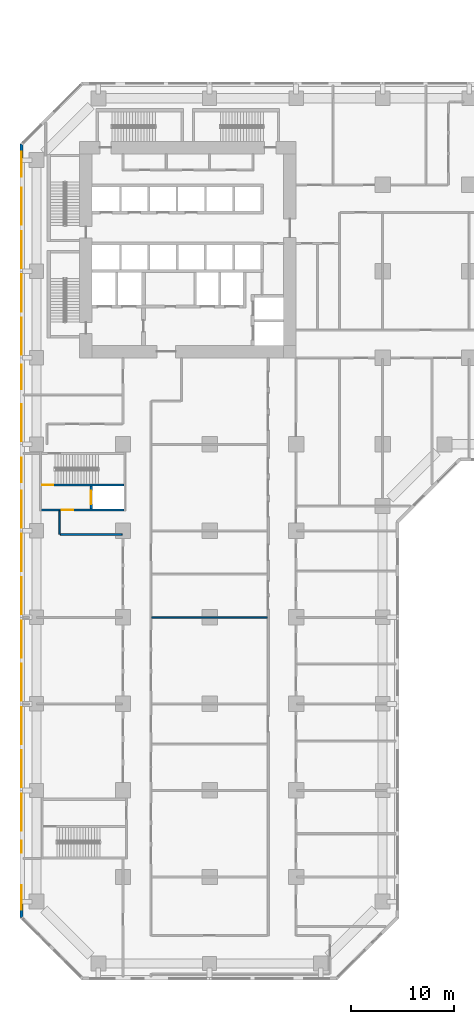
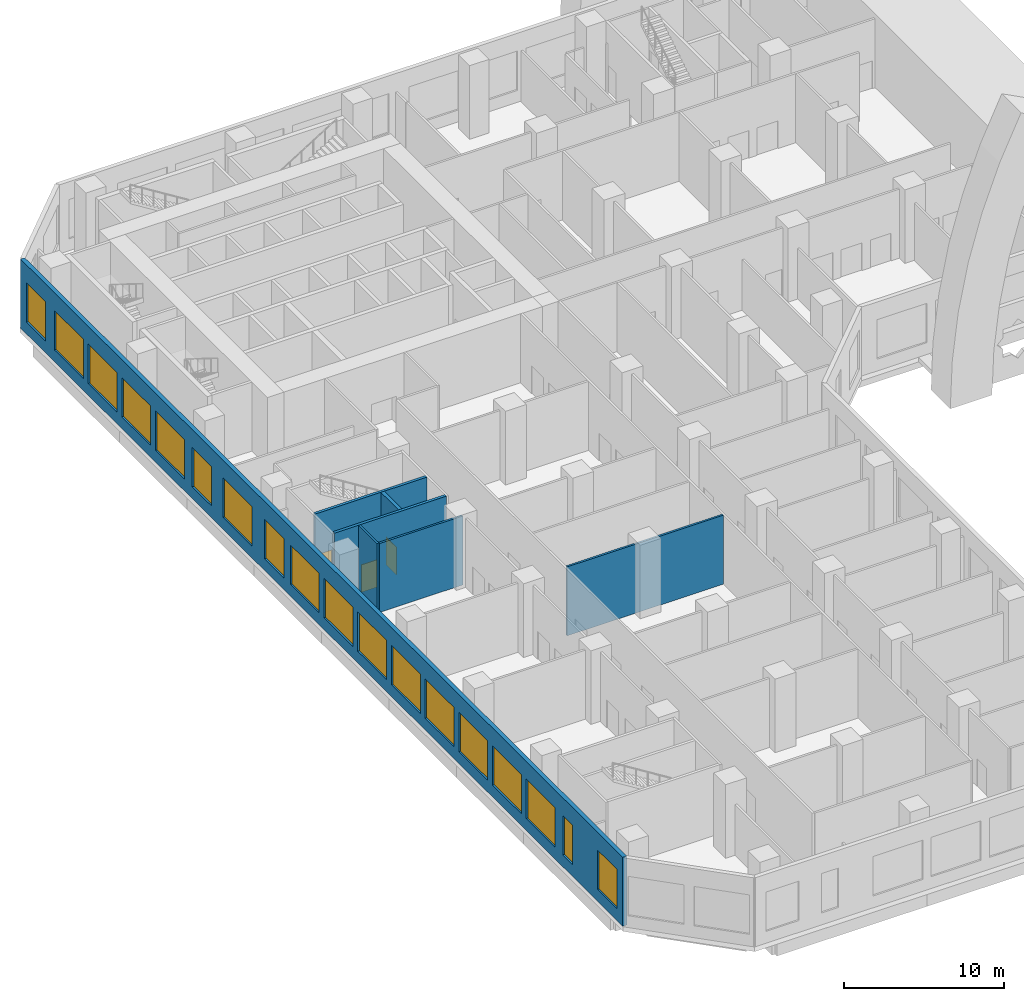
# One storey, part 5 of 19: 18 windows, 7 walls, 3 doors, 21 openings.
"""IFC4 building model written with IfcOpenShell, lengths in metres."""

from ifc_helpers import new_model, si_unit, direction, frame, frame_2d, origin, place, context, subcontext, project, spatial, rectangle, extrude, material, layer, layer_set, type_object, element, fill, save


model = new_model("IFC4")

# Units and contexts
model_context = context("Model", 3, precision=1e-05, world=origin(), true_north=direction((0.0, 1.0)))
body_context = subcontext(model_context, "Body", "Model", "MODEL_VIEW")
ifc_project = project(units=[si_unit("LENGTHUNIT", "METRE"), si_unit("AREAUNIT", "SQUARE_METRE"), si_unit("VOLUMEUNIT", "CUBIC_METRE"), si_unit("PLANEANGLEUNIT", "RADIAN"), si_unit("MASSUNIT", "GRAM", prefix="KILO")], contexts=[model_context])

# Site, building, storey
site_placement = place(None, origin())
site = spatial("IfcSite", under=ifc_project, at=site_placement, CompositionType="ELEMENT")
building_placement = place(site_placement, origin())
building = spatial("IfcBuilding", under=site, at=building_placement, Name="Kawkab Arch Medical Tower", CompositionType="ELEMENT")
storey_placement = place(building_placement, frame((0.0, 0.0, 12.60009765625)))
storey = spatial("IfcBuildingStorey", under=building, at=storey_placement, Name="L03", CompositionType="ELEMENT", Elevation=12.60009765625)

# Wall, opening, door
ifc_material_1 = material(Name="Concrete C60/75", Category="concrete")
ifc_layer_1 = layer(ifc_material_1, 0.25)
ifc_layer_set_1 = layer_set([ifc_layer_1], Name="Concrete C60/75")
wall_type_1 = type_object("IfcWallType", Name="Core shear wall 250 C60/75", PredefinedType="SHEAR", material=ifc_layer_set_1)
wall_1_placement = place(storey_placement, frame((5.300048828125, -39.85009765625, 0.0), z_axis=(0.0, 0.0, 1.0), x_axis=(0.0, 1.0, 0.0)))
wall_1 = element("IfcWall", 1, at=wall_1_placement, inside=storey, type_object=wall_type_1, Name="L03 core shear wall", PredefinedType="SHEAR", context=body_context, shape_type="SweptSolid", body=[
    extrude(rectangle(XDim=2.2001953125, YDim=0.25, at=frame_2d((1.10009765625, 0.0))), origin(), (0.0, 0.0, 1.0), 5.25),
])
opening_1_placement = place(wall_1_placement, frame((0.449951171875, 0.0, 0.0)))
opening_1 = element("IfcOpeningElement", 2, at=opening_1_placement, cuts=wall_1, Name="Opening LD2", PredefinedType="OPENING", context=body_context, shape_type="SweptSolid", body=[
    extrude(rectangle(XDim=1.300048828125, YDim=2.10009765625, at=frame_2d((0.64990234375, 1.050048828125))), frame((0.0, 0.135009765625, 0.0), z_axis=(0.0, -1.0, 0.0), x_axis=(1.0, 0.0, 0.0)), (0.0, 0.0, 1.0), 0.27001953125),
])
ifc_material_2 = material(Name="Stainless steel lift door leaf", Category="steel")
door_type_1 = type_object("IfcDoorType", Name="Lift landing door 1300", OperationType="DOUBLE_DOOR_SLIDING", PredefinedType="DOOR", material=ifc_material_2)
door_1_placement = place(opening_1_placement, origin())
door_1 = element("IfcDoor", 3, at=door_1_placement, inside=storey, type_object=door_type_1, Name="L03 Lift landing door SV2", OperationType="DOUBLE_DOOR_SLIDING", OverallHeight=2.10009765625, OverallWidth=1.300048828125, PredefinedType="DOOR", context=body_context, shape_type="SweptSolid", body=[
    extrude(rectangle(XDim=1.300048828125, YDim=2.10009765625, at=frame_2d((0.64990234375, 1.050048828125))), frame((0.0, 0.02490234375, 0.0), z_axis=(0.0, -1.0, 0.0), x_axis=(1.0, 0.0, 0.0)), (0.0, 0.0, 1.0), 0.050048828125),
])
fill(opening_1, door_1)

# Walls
ifc_material_3 = material(Name="Gypsum board partition on steel studs, mineral wool", Category="steel")
ifc_layer_2 = layer(ifc_material_3, 0.14990234375)
ifc_layer_set_2 = layer_set([ifc_layer_2], Name="Gypsum board partition on steel studs, mineral wool")
wall_type_2 = type_object("IfcWallType", Name="Partition 150", PredefinedType="PARTITIONING", material=ifc_layer_set_2)
wall_2_placement = place(storey_placement, frame((11.175048828125, -50.39990234375, 0.0), z_axis=(0.0, 0.0, 1.0), x_axis=(1.0, 0.0, 0.0)))
element("IfcWall", 4, at=wall_2_placement, inside=storey, type_object=wall_type_2, Name="Partition 150 w020", PredefinedType="PARTITIONING", context=body_context, shape_type="SweptSolid", body=[
    extrude(rectangle(XDim=11.25, YDim=0.14990234375, at=frame_2d((5.625, 0.0))), origin(), (0.0, 0.0, 1.0), 5.25),
])
wall_3_placement = place(storey_placement, frame((2.326904296875, -42.35009765625, 0.0), z_axis=(0.0, 0.0, 1.0), x_axis=(1.0, 0.0, 0.0)))
element("IfcWall", 5, at=wall_3_placement, inside=storey, type_object=wall_type_2, Name="Partition 150 w024", PredefinedType="PARTITIONING", context=body_context, shape_type="SweptSolid", body=[
    extrude(rectangle(XDim=5.998046875, YDim=0.14990234375, at=frame_2d((2.9990234375, 0.0))), origin(), (0.0, 0.0, 1.0), 5.25),
])
wall_4_placement = place(storey_placement, frame((2.25, -42.347900390625, 0.0), z_axis=(0.0, 0.0, 1.0), x_axis=(0.0, 1.0, 0.0)))
element("IfcWall", 6, at=wall_4_placement, inside=storey, type_object=wall_type_2, Name="Partition 150 w048", PredefinedType="PARTITIONING", context=body_context, shape_type="SweptSolid", body=[
    extrude(rectangle(XDim=2.2978515625, YDim=0.14990234375, at=frame_2d((1.14892578125, 0.0))), origin(), (0.0, 0.0, 1.0), 5.25),
])

# Wall, openings, windows
ifc_material_4 = material(Name="Bronze clad insulated wall panel")
ifc_layer_3 = layer(ifc_material_4, 0.300048828125)
ifc_layer_set_3 = layer_set([ifc_layer_3], Name="Bronze clad insulated wall panel")
wall_type_3 = type_object("IfcWallType", Name="Podium external wall 300", PredefinedType="SOLIDWALL", material=ifc_layer_set_3)
wall_5_placement = place(storey_placement, frame((-1.449951171875, -4.462158203125, 0.0), z_axis=(0.0, 0.0, 1.0), x_axis=(0.0, -1.0, 0.0)))
wall_5 = element("IfcWall", 7, at=wall_5_placement, inside=storey, type_object=wall_type_3, Name="Podium external wall L03 R07", PredefinedType="SOLIDWALL", context=body_context, shape_type="SweptSolid", body=[
    extrude(rectangle(XDim=75.07568359375, YDim=0.300048828125, at=frame_2d((37.537841796875, 0.0))), origin(), (0.0, 0.0, 1.0), 5.25),
])
opening_2_placement = place(wall_5_placement, frame((0.73779296875, 0.0, 0.89990234375)))
opening_2 = element("IfcOpeningElement", 8, at=opening_2_placement, cuts=wall_5, Name="Opening PBW240-30-S9", PredefinedType="OPENING", context=body_context, shape_type="SweptSolid", body=[
    extrude(rectangle(XDim=2.39990234375, YDim=3.0, at=frame_2d((1.199951171875, 1.5))), frame((0.0, 0.159912109375, 0.0), z_axis=(0.0, -1.0, 0.0), x_axis=(1.0, 0.0, 0.0)), (0.0, 0.0, 1.0), 0.320068359375),
])
opening_3_placement = place(wall_5_placement, frame((4.23779296875, 0.0, 0.89990234375)))
opening_3 = element("IfcOpeningElement", 9, at=opening_3_placement, cuts=wall_5, Name="Opening PBW360-30-S9", PredefinedType="OPENING", context=body_context, shape_type="SweptSolid", body=[
    extrude(rectangle(XDim=3.60009765625, YDim=3.0, at=frame_2d((1.800048828125, 1.5))), frame((0.0, 0.159912109375, 0.0), z_axis=(0.0, -1.0, 0.0), x_axis=(1.0, 0.0, 0.0)), (0.0, 0.0, 1.0), 0.320068359375),
])
opening_4_placement = place(wall_5_placement, frame((8.43798828125, 0.0, 0.89990234375)))
opening_4 = element("IfcOpeningElement", 10, at=opening_4_placement, cuts=wall_5, Name="Opening PBW360-30-S9", PredefinedType="OPENING", context=body_context, shape_type="SweptSolid", body=[
    extrude(rectangle(XDim=3.60009765625, YDim=3.0, at=frame_2d((1.800048828125, 1.5))), frame((0.0, 0.159912109375, 0.0), z_axis=(0.0, -1.0, 0.0), x_axis=(1.0, 0.0, 0.0)), (0.0, 0.0, 1.0), 0.320068359375),
])
opening_5_placement = place(wall_5_placement, frame((12.637939453125, 0.0, 0.89990234375)))
opening_5 = element("IfcOpeningElement", 11, at=opening_5_placement, cuts=wall_5, Name="Opening PBW360-30-S9", PredefinedType="OPENING", context=body_context, shape_type="SweptSolid", body=[
    extrude(rectangle(XDim=3.60009765625, YDim=3.0, at=frame_2d((1.800048828125, 1.5))), frame((0.0, 0.159912109375, 0.0), z_axis=(0.0, -1.0, 0.0), x_axis=(1.0, 0.0, 0.0)), (0.0, 0.0, 1.0), 0.320068359375),
])
opening_6_placement = place(wall_5_placement, frame((16.837890625, 0.0, 0.89990234375)))
opening_6 = element("IfcOpeningElement", 12, at=opening_6_placement, cuts=wall_5, Name="Opening PBW360-30-S9", PredefinedType="OPENING", context=body_context, shape_type="SweptSolid", body=[
    extrude(rectangle(XDim=3.60009765625, YDim=3.0, at=frame_2d((1.800048828125, 1.5))), frame((0.0, 0.159912109375, 0.0), z_axis=(0.0, -1.0, 0.0), x_axis=(1.0, 0.0, 0.0)), (0.0, 0.0, 1.0), 0.320068359375),
])
opening_7_placement = place(wall_5_placement, frame((21.40283203125, 0.0, 0.89990234375)))
opening_7 = element("IfcOpeningElement", 13, at=opening_7_placement, cuts=wall_5, Name="Opening PBW240-30-S9", PredefinedType="OPENING", context=body_context, shape_type="SweptSolid", body=[
    extrude(rectangle(XDim=2.39990234375, YDim=3.0, at=frame_2d((1.199951171875, 1.5))), frame((0.0, 0.159912109375, 0.0), z_axis=(0.0, -1.0, 0.0), x_axis=(1.0, 0.0, 0.0)), (0.0, 0.0, 1.0), 0.320068359375),
])
opening_8_placement = place(wall_5_placement, frame((25.23779296875, 0.0, 0.89990234375)))
opening_8 = element("IfcOpeningElement", 14, at=opening_8_placement, cuts=wall_5, Name="Opening PBW360-30-S9", PredefinedType="OPENING", context=body_context, shape_type="SweptSolid", body=[
    extrude(rectangle(XDim=3.60009765625, YDim=3.0, at=frame_2d((1.800048828125, 1.5))), frame((0.0, 0.159912109375, 0.0), z_axis=(0.0, -1.0, 0.0), x_axis=(1.0, 0.0, 0.0)), (0.0, 0.0, 1.0), 0.320068359375),
])
opening_9_placement = place(wall_5_placement, frame((30.4228515625, 0.0, 0.89990234375)))
opening_9 = element("IfcOpeningElement", 15, at=opening_9_placement, cuts=wall_5, Name="Opening PBW240-30-S9", PredefinedType="OPENING", context=body_context, shape_type="SweptSolid", body=[
    extrude(rectangle(XDim=2.39990234375, YDim=3.0, at=frame_2d((1.199951171875, 1.5))), frame((0.0, 0.159912109375, 0.0), z_axis=(0.0, -1.0, 0.0), x_axis=(1.0, 0.0, 0.0)), (0.0, 0.0, 1.0), 0.320068359375),
])
opening_10_placement = place(wall_5_placement, frame((33.637939453125, 0.0, 0.89990234375)))
opening_10 = element("IfcOpeningElement", 16, at=opening_10_placement, cuts=wall_5, Name="Opening PBW360-30-S9", PredefinedType="OPENING", context=body_context, shape_type="SweptSolid", body=[
    extrude(rectangle(XDim=3.60009765625, YDim=3.0, at=frame_2d((1.800048828125, 1.5))), frame((0.0, 0.159912109375, 0.0), z_axis=(0.0, -1.0, 0.0), x_axis=(1.0, 0.0, 0.0)), (0.0, 0.0, 1.0), 0.320068359375),
])
opening_11_placement = place(wall_5_placement, frame((37.837890625, 0.0, 0.89990234375)))
opening_11 = element("IfcOpeningElement", 17, at=opening_11_placement, cuts=wall_5, Name="Opening PBW360-30-S9", PredefinedType="OPENING", context=body_context, shape_type="SweptSolid", body=[
    extrude(rectangle(XDim=3.60009765625, YDim=3.0, at=frame_2d((1.800048828125, 1.5))), frame((0.0, 0.159912109375, 0.0), z_axis=(0.0, -1.0, 0.0), x_axis=(1.0, 0.0, 0.0)), (0.0, 0.0, 1.0), 0.320068359375),
])
opening_12_placement = place(wall_5_placement, frame((42.037841796875, 0.0, 0.89990234375)))
opening_12 = element("IfcOpeningElement", 18, at=opening_12_placement, cuts=wall_5, Name="Opening PBW360-30-S9", PredefinedType="OPENING", context=body_context, shape_type="SweptSolid", body=[
    extrude(rectangle(XDim=3.60009765625, YDim=3.0, at=frame_2d((1.800048828125, 1.5))), frame((0.0, 0.159912109375, 0.0), z_axis=(0.0, -1.0, 0.0), x_axis=(1.0, 0.0, 0.0)), (0.0, 0.0, 1.0), 0.320068359375),
])
opening_13_placement = place(wall_5_placement, frame((46.23779296875, 0.0, 0.89990234375)))
opening_13 = element("IfcOpeningElement", 19, at=opening_13_placement, cuts=wall_5, Name="Opening PBW360-30-S9", PredefinedType="OPENING", context=body_context, shape_type="SweptSolid", body=[
    extrude(rectangle(XDim=3.60009765625, YDim=3.0, at=frame_2d((1.800048828125, 1.5))), frame((0.0, 0.159912109375, 0.0), z_axis=(0.0, -1.0, 0.0), x_axis=(1.0, 0.0, 0.0)), (0.0, 0.0, 1.0), 0.320068359375),
])
opening_14_placement = place(wall_5_placement, frame((50.43798828125, 0.0, 0.89990234375)))
opening_14 = element("IfcOpeningElement", 20, at=opening_14_placement, cuts=wall_5, Name="Opening PBW360-30-S9", PredefinedType="OPENING", context=body_context, shape_type="SweptSolid", body=[
    extrude(rectangle(XDim=3.60009765625, YDim=3.0, at=frame_2d((1.800048828125, 1.5))), frame((0.0, 0.159912109375, 0.0), z_axis=(0.0, -1.0, 0.0), x_axis=(1.0, 0.0, 0.0)), (0.0, 0.0, 1.0), 0.320068359375),
])
opening_15_placement = place(wall_5_placement, frame((54.637939453125, 0.0, 0.89990234375)))
opening_15 = element("IfcOpeningElement", 21, at=opening_15_placement, cuts=wall_5, Name="Opening PBW360-30-S9", PredefinedType="OPENING", context=body_context, shape_type="SweptSolid", body=[
    extrude(rectangle(XDim=3.60009765625, YDim=3.0, at=frame_2d((1.800048828125, 1.5))), frame((0.0, 0.159912109375, 0.0), z_axis=(0.0, -1.0, 0.0), x_axis=(1.0, 0.0, 0.0)), (0.0, 0.0, 1.0), 0.320068359375),
])
opening_16_placement = place(wall_5_placement, frame((58.837890625, 0.0, 0.89990234375)))
opening_16 = element("IfcOpeningElement", 22, at=opening_16_placement, cuts=wall_5, Name="Opening PBW360-30-S9", PredefinedType="OPENING", context=body_context, shape_type="SweptSolid", body=[
    extrude(rectangle(XDim=3.60009765625, YDim=3.0, at=frame_2d((1.800048828125, 1.5))), frame((0.0, 0.159912109375, 0.0), z_axis=(0.0, -1.0, 0.0), x_axis=(1.0, 0.0, 0.0)), (0.0, 0.0, 1.0), 0.320068359375),
])
opening_17_placement = place(wall_5_placement, frame((63.037841796875, 0.0, 0.89990234375)))
opening_17 = element("IfcOpeningElement", 23, at=opening_17_placement, cuts=wall_5, Name="Opening PBW360-30-S9", PredefinedType="OPENING", context=body_context, shape_type="SweptSolid", body=[
    extrude(rectangle(XDim=3.60009765625, YDim=3.0, at=frame_2d((1.800048828125, 1.5))), frame((0.0, 0.159912109375, 0.0), z_axis=(0.0, -1.0, 0.0), x_axis=(1.0, 0.0, 0.0)), (0.0, 0.0, 1.0), 0.320068359375),
])
opening_18_placement = place(wall_5_placement, frame((67.602783203125, 0.0, 0.89990234375)))
opening_18 = element("IfcOpeningElement", 24, at=opening_18_placement, cuts=wall_5, Name="Opening PBW120-30-S9", PredefinedType="OPENING", context=body_context, shape_type="SweptSolid", body=[
    extrude(rectangle(XDim=1.199951171875, YDim=3.0, at=frame_2d((0.60009765625, 1.5))), frame((0.0, 0.159912109375, 0.0), z_axis=(0.0, -1.0, 0.0), x_axis=(1.0, 0.0, 0.0)), (0.0, 0.0, 1.0), 0.320068359375),
])
opening_19_placement = place(wall_5_placement, frame((71.93798828125, 0.0, 0.89990234375)))
opening_19 = element("IfcOpeningElement", 25, at=opening_19_placement, cuts=wall_5, Name="Opening PBW240-30-S9", PredefinedType="OPENING", context=body_context, shape_type="SweptSolid", body=[
    extrude(rectangle(XDim=2.39990234375, YDim=3.0, at=frame_2d((1.199951171875, 1.5))), frame((0.0, 0.159912109375, 0.0), z_axis=(0.0, -1.0, 0.0), x_axis=(1.0, 0.0, 0.0)), (0.0, 0.0, 1.0), 0.320068359375),
])
ifc_material_5 = material(Name="Bronze anodised aluminium louvred window", Category="aluminium")
window_type_1 = type_object("IfcWindowType", Name="Podium band window 1200 x 3000 sill 900", PartitioningType="DOUBLE_PANEL_VERTICAL", PredefinedType="WINDOW", material=ifc_material_5)
window_1_placement = place(opening_18_placement, origin())
window_1 = element("IfcWindow", 26, at=window_1_placement, inside=storey, type_object=window_type_1, Name="Band window L03 R07.17", OverallHeight=3.0, OverallWidth=1.199951171875, PartitioningType="SINGLE_PANEL", PredefinedType="WINDOW", context=body_context, shape_type="SweptSolid", body=[
    extrude(rectangle(XDim=1.199951171875, YDim=3.0, at=frame_2d((0.60009765625, 1.5))), frame((0.0, 0.030029296875, 0.0), z_axis=(0.0, -1.0, 0.0), x_axis=(1.0, 0.0, 0.0)), (0.0, 0.0, 1.0), 0.06005859375),
])
fill(opening_18, window_1)
ifc_material_6 = material(Name="Bronze anodised aluminium louvred window", Category="aluminium")
window_type_2 = type_object("IfcWindowType", Name="Podium band window 2400 x 3000 sill 900", PartitioningType="DOUBLE_PANEL_VERTICAL", PredefinedType="WINDOW", material=ifc_material_6)
window_2_placement = place(opening_2_placement, origin())
window_2 = element("IfcWindow", 27, at=window_2_placement, inside=storey, type_object=window_type_2, Name="Band window L03 R07.1", OverallHeight=3.0, OverallWidth=2.39990234375, PartitioningType="SINGLE_PANEL", PredefinedType="WINDOW", context=body_context, shape_type="SweptSolid", body=[
    extrude(rectangle(XDim=2.39990234375, YDim=3.0, at=frame_2d((1.199951171875, 1.5))), frame((0.0, 0.030029296875, 0.0), z_axis=(0.0, -1.0, 0.0), x_axis=(1.0, 0.0, 0.0)), (0.0, 0.0, 1.0), 0.06005859375),
])
fill(opening_2, window_2)
window_3_placement = place(opening_7_placement, origin())
window_3 = element("IfcWindow", 28, at=window_3_placement, inside=storey, type_object=window_type_2, Name="Band window L03 R07.6", OverallHeight=3.0, OverallWidth=2.39990234375, PartitioningType="SINGLE_PANEL", PredefinedType="WINDOW", context=body_context, shape_type="SweptSolid", body=[
    extrude(rectangle(XDim=2.39990234375, YDim=3.0, at=frame_2d((1.199951171875, 1.5))), frame((0.0, 0.030029296875, 0.0), z_axis=(0.0, -1.0, 0.0), x_axis=(1.0, 0.0, 0.0)), (0.0, 0.0, 1.0), 0.06005859375),
])
fill(opening_7, window_3)
window_4_placement = place(opening_9_placement, origin())
window_4 = element("IfcWindow", 29, at=window_4_placement, inside=storey, type_object=window_type_2, Name="Band window L03 R07.8", OverallHeight=3.0, OverallWidth=2.39990234375, PartitioningType="SINGLE_PANEL", PredefinedType="WINDOW", context=body_context, shape_type="SweptSolid", body=[
    extrude(rectangle(XDim=2.39990234375, YDim=3.0, at=frame_2d((1.199951171875, 1.5))), frame((0.0, 0.030029296875, 0.0), z_axis=(0.0, -1.0, 0.0), x_axis=(1.0, 0.0, 0.0)), (0.0, 0.0, 1.0), 0.06005859375),
])
fill(opening_9, window_4)
window_5_placement = place(opening_19_placement, origin())
window_5 = element("IfcWindow", 30, at=window_5_placement, inside=storey, type_object=window_type_2, Name="Band window L03 R07.18", OverallHeight=3.0, OverallWidth=2.39990234375, PartitioningType="SINGLE_PANEL", PredefinedType="WINDOW", context=body_context, shape_type="SweptSolid", body=[
    extrude(rectangle(XDim=2.39990234375, YDim=3.0, at=frame_2d((1.199951171875, 1.5))), frame((0.0, 0.030029296875, 0.0), z_axis=(0.0, -1.0, 0.0), x_axis=(1.0, 0.0, 0.0)), (0.0, 0.0, 1.0), 0.06005859375),
])
fill(opening_19, window_5)
ifc_material_7 = material(Name="Bronze anodised aluminium louvred window", Category="aluminium")
window_type_3 = type_object("IfcWindowType", Name="Podium band window 3600 x 3000 sill 900", PartitioningType="DOUBLE_PANEL_VERTICAL", PredefinedType="WINDOW", material=ifc_material_7)
window_6_placement = place(opening_3_placement, origin())
window_6 = element("IfcWindow", 31, at=window_6_placement, inside=storey, type_object=window_type_3, Name="Band window L03 R07.2", OverallHeight=3.0, OverallWidth=3.60009765625, PartitioningType="SINGLE_PANEL", PredefinedType="WINDOW", context=body_context, shape_type="SweptSolid", body=[
    extrude(rectangle(XDim=3.60009765625, YDim=3.0, at=frame_2d((1.800048828125, 1.5))), frame((0.0, 0.030029296875, 0.0), z_axis=(0.0, -1.0, 0.0), x_axis=(1.0, 0.0, 0.0)), (0.0, 0.0, 1.0), 0.06005859375),
])
fill(opening_3, window_6)
window_7_placement = place(opening_4_placement, origin())
window_7 = element("IfcWindow", 32, at=window_7_placement, inside=storey, type_object=window_type_3, Name="Band window L03 R07.3", OverallHeight=3.0, OverallWidth=3.60009765625, PartitioningType="SINGLE_PANEL", PredefinedType="WINDOW", context=body_context, shape_type="SweptSolid", body=[
    extrude(rectangle(XDim=3.60009765625, YDim=3.0, at=frame_2d((1.800048828125, 1.5))), frame((0.0, 0.030029296875, 0.0), z_axis=(0.0, -1.0, 0.0), x_axis=(1.0, 0.0, 0.0)), (0.0, 0.0, 1.0), 0.06005859375),
])
fill(opening_4, window_7)
window_8_placement = place(opening_5_placement, origin())
window_8 = element("IfcWindow", 33, at=window_8_placement, inside=storey, type_object=window_type_3, Name="Band window L03 R07.4", OverallHeight=3.0, OverallWidth=3.60009765625, PartitioningType="SINGLE_PANEL", PredefinedType="WINDOW", context=body_context, shape_type="SweptSolid", body=[
    extrude(rectangle(XDim=3.60009765625, YDim=3.0, at=frame_2d((1.800048828125, 1.5))), frame((0.0, 0.030029296875, 0.0), z_axis=(0.0, -1.0, 0.0), x_axis=(1.0, 0.0, 0.0)), (0.0, 0.0, 1.0), 0.06005859375),
])
fill(opening_5, window_8)
window_9_placement = place(opening_6_placement, origin())
window_9 = element("IfcWindow", 34, at=window_9_placement, inside=storey, type_object=window_type_3, Name="Band window L03 R07.5", OverallHeight=3.0, OverallWidth=3.60009765625, PartitioningType="SINGLE_PANEL", PredefinedType="WINDOW", context=body_context, shape_type="SweptSolid", body=[
    extrude(rectangle(XDim=3.60009765625, YDim=3.0, at=frame_2d((1.800048828125, 1.5))), frame((0.0, 0.030029296875, 0.0), z_axis=(0.0, -1.0, 0.0), x_axis=(1.0, 0.0, 0.0)), (0.0, 0.0, 1.0), 0.06005859375),
])
fill(opening_6, window_9)
window_10_placement = place(opening_8_placement, origin())
window_10 = element("IfcWindow", 35, at=window_10_placement, inside=storey, type_object=window_type_3, Name="Band window L03 R07.7", OverallHeight=3.0, OverallWidth=3.60009765625, PartitioningType="SINGLE_PANEL", PredefinedType="WINDOW", context=body_context, shape_type="SweptSolid", body=[
    extrude(rectangle(XDim=3.60009765625, YDim=3.0, at=frame_2d((1.800048828125, 1.5))), frame((0.0, 0.030029296875, 0.0), z_axis=(0.0, -1.0, 0.0), x_axis=(1.0, 0.0, 0.0)), (0.0, 0.0, 1.0), 0.06005859375),
])
fill(opening_8, window_10)
window_11_placement = place(opening_10_placement, origin())
window_11 = element("IfcWindow", 36, at=window_11_placement, inside=storey, type_object=window_type_3, Name="Band window L03 R07.9", OverallHeight=3.0, OverallWidth=3.60009765625, PartitioningType="SINGLE_PANEL", PredefinedType="WINDOW", context=body_context, shape_type="SweptSolid", body=[
    extrude(rectangle(XDim=3.60009765625, YDim=3.0, at=frame_2d((1.800048828125, 1.5))), frame((0.0, 0.030029296875, 0.0), z_axis=(0.0, -1.0, 0.0), x_axis=(1.0, 0.0, 0.0)), (0.0, 0.0, 1.0), 0.06005859375),
])
fill(opening_10, window_11)
window_12_placement = place(opening_11_placement, origin())
window_12 = element("IfcWindow", 37, at=window_12_placement, inside=storey, type_object=window_type_3, Name="Band window L03 R07.10", OverallHeight=3.0, OverallWidth=3.60009765625, PartitioningType="SINGLE_PANEL", PredefinedType="WINDOW", context=body_context, shape_type="SweptSolid", body=[
    extrude(rectangle(XDim=3.60009765625, YDim=3.0, at=frame_2d((1.800048828125, 1.5))), frame((0.0, 0.030029296875, 0.0), z_axis=(0.0, -1.0, 0.0), x_axis=(1.0, 0.0, 0.0)), (0.0, 0.0, 1.0), 0.06005859375),
])
fill(opening_11, window_12)
window_13_placement = place(opening_12_placement, origin())
window_13 = element("IfcWindow", 38, at=window_13_placement, inside=storey, type_object=window_type_3, Name="Band window L03 R07.11", OverallHeight=3.0, OverallWidth=3.60009765625, PartitioningType="SINGLE_PANEL", PredefinedType="WINDOW", context=body_context, shape_type="SweptSolid", body=[
    extrude(rectangle(XDim=3.60009765625, YDim=3.0, at=frame_2d((1.800048828125, 1.5))), frame((0.0, 0.030029296875, 0.0), z_axis=(0.0, -1.0, 0.0), x_axis=(1.0, 0.0, 0.0)), (0.0, 0.0, 1.0), 0.06005859375),
])
fill(opening_12, window_13)
window_14_placement = place(opening_13_placement, origin())
window_14 = element("IfcWindow", 39, at=window_14_placement, inside=storey, type_object=window_type_3, Name="Band window L03 R07.12", OverallHeight=3.0, OverallWidth=3.60009765625, PartitioningType="SINGLE_PANEL", PredefinedType="WINDOW", context=body_context, shape_type="SweptSolid", body=[
    extrude(rectangle(XDim=3.60009765625, YDim=3.0, at=frame_2d((1.800048828125, 1.5))), frame((0.0, 0.030029296875, 0.0), z_axis=(0.0, -1.0, 0.0), x_axis=(1.0, 0.0, 0.0)), (0.0, 0.0, 1.0), 0.06005859375),
])
fill(opening_13, window_14)
window_15_placement = place(opening_14_placement, origin())
window_15 = element("IfcWindow", 40, at=window_15_placement, inside=storey, type_object=window_type_3, Name="Band window L03 R07.13", OverallHeight=3.0, OverallWidth=3.60009765625, PartitioningType="SINGLE_PANEL", PredefinedType="WINDOW", context=body_context, shape_type="SweptSolid", body=[
    extrude(rectangle(XDim=3.60009765625, YDim=3.0, at=frame_2d((1.800048828125, 1.5))), frame((0.0, 0.030029296875, 0.0), z_axis=(0.0, -1.0, 0.0), x_axis=(1.0, 0.0, 0.0)), (0.0, 0.0, 1.0), 0.06005859375),
])
fill(opening_14, window_15)
window_16_placement = place(opening_15_placement, origin())
window_16 = element("IfcWindow", 41, at=window_16_placement, inside=storey, type_object=window_type_3, Name="Band window L03 R07.14", OverallHeight=3.0, OverallWidth=3.60009765625, PartitioningType="SINGLE_PANEL", PredefinedType="WINDOW", context=body_context, shape_type="SweptSolid", body=[
    extrude(rectangle(XDim=3.60009765625, YDim=3.0, at=frame_2d((1.800048828125, 1.5))), frame((0.0, 0.030029296875, 0.0), z_axis=(0.0, -1.0, 0.0), x_axis=(1.0, 0.0, 0.0)), (0.0, 0.0, 1.0), 0.06005859375),
])
fill(opening_15, window_16)
window_17_placement = place(opening_16_placement, origin())
window_17 = element("IfcWindow", 42, at=window_17_placement, inside=storey, type_object=window_type_3, Name="Band window L03 R07.15", OverallHeight=3.0, OverallWidth=3.60009765625, PartitioningType="SINGLE_PANEL", PredefinedType="WINDOW", context=body_context, shape_type="SweptSolid", body=[
    extrude(rectangle(XDim=3.60009765625, YDim=3.0, at=frame_2d((1.800048828125, 1.5))), frame((0.0, 0.030029296875, 0.0), z_axis=(0.0, -1.0, 0.0), x_axis=(1.0, 0.0, 0.0)), (0.0, 0.0, 1.0), 0.06005859375),
])
fill(opening_16, window_17)
window_18_placement = place(opening_17_placement, origin())
window_18 = element("IfcWindow", 43, at=window_18_placement, inside=storey, type_object=window_type_3, Name="Band window L03 R07.16", OverallHeight=3.0, OverallWidth=3.60009765625, PartitioningType="SINGLE_PANEL", PredefinedType="WINDOW", context=body_context, shape_type="SweptSolid", body=[
    extrude(rectangle(XDim=3.60009765625, YDim=3.0, at=frame_2d((1.800048828125, 1.5))), frame((0.0, 0.030029296875, 0.0), z_axis=(0.0, -1.0, 0.0), x_axis=(1.0, 0.0, 0.0)), (0.0, 0.0, 1.0), 0.06005859375),
])
fill(opening_17, window_18)

# Wall, opening, door
ifc_material_8 = material(Name="Concrete C50/60", Category="concrete")
ifc_layer_4 = layer(ifc_material_8, 0.199951171875)
ifc_layer_set_4 = layer_set([ifc_layer_4], Name="Concrete C50/60")
wall_type_4 = type_object("IfcWallType", Name="Stair enclosure wall 200 C50/60", PredefinedType="SHEAR", material=ifc_layer_set_4)
wall_6_placement = place(storey_placement, frame((0.449951171875, -37.550048828125, 0.0), z_axis=(0.0, 0.0, 1.0), x_axis=(1.0, 0.0, 0.0)))
wall_6 = element("IfcWall", 44, at=wall_6_placement, inside=storey, type_object=wall_type_4, Name="L03 stair enclosure wall", PredefinedType="SHEAR", context=body_context, shape_type="SweptSolid", body=[
    extrude(rectangle(XDim=8.050048828125, YDim=0.199951171875, at=frame_2d((4.02490234375, 0.0))), origin(), (0.0, 0.0, 1.0), 5.25),
])
opening_20_placement = place(wall_6_placement, frame((0.10009765625, 0.0, 0.0)))
opening_20 = element("IfcOpeningElement", 45, at=opening_20_placement, cuts=wall_6, Name="Opening SD", PredefinedType="OPENING", context=body_context, shape_type="SweptSolid", body=[
    extrude(rectangle(XDim=1.10009765625, YDim=2.10009765625, at=frame_2d((0.550048828125, 1.050048828125))), frame((0.0, 0.10986328125, 0.0), z_axis=(0.0, -1.0, 0.0), x_axis=(1.0, 0.0, 0.0)), (0.0, 0.0, 1.0), 0.219970703125),
])
ifc_material_9 = material(Name="Hollow metal fire door leaf")
door_type_2 = type_object("IfcDoorType", Name="Exit stair door 1100", OperationType="SINGLE_SWING_LEFT", PredefinedType="DOOR", material=ifc_material_9)
door_2_placement = place(opening_20_placement, frame((1.10009765625, 0.0, 0.0), z_axis=(0.0, 0.0, 1.0), x_axis=(-1.0, 0.0, 0.0)))
door_2 = element("IfcDoor", 46, at=door_2_placement, inside=storey, type_object=door_type_2, Name="L03 Exit stair ST6 lobby door", OperationType="SINGLE_SWING_LEFT", OverallHeight=2.10009765625, OverallWidth=1.10009765625, PredefinedType="DOOR", context=body_context, shape_type="SweptSolid", body=[
    extrude(rectangle(XDim=1.10009765625, YDim=2.10009765625, at=frame_2d((0.550048828125, 1.050048828125))), frame((0.0, 0.02490234375, 0.0), z_axis=(0.0, -1.0, 0.0), x_axis=(1.0, 0.0, 0.0)), (0.0, 0.0, 1.0), 0.050048828125),
])
fill(opening_20, door_2)

wall_7_placement = place(storey_placement, frame((0.449951171875, -39.949951171875, 0.0), z_axis=(0.0, 0.0, 1.0), x_axis=(1.0, 0.0, 0.0)))
wall_7 = element("IfcWall", 47, at=wall_7_placement, inside=storey, type_object=wall_type_4, Name="L03 stair enclosure wall", PredefinedType="SHEAR", context=body_context, shape_type="SweptSolid", body=[
    extrude(rectangle(XDim=8.050048828125, YDim=0.199951171875, at=frame_2d((4.02490234375, 0.0))), origin(), (0.0, 0.0, 1.0), 5.25),
])
opening_21_placement = place(wall_7_placement, frame((2.0, 0.0, 0.0)))
opening_21 = element("IfcOpeningElement", 48, at=opening_21_placement, cuts=wall_7, Name="Opening FD", PredefinedType="OPENING", context=body_context, shape_type="SweptSolid", body=[
    extrude(rectangle(XDim=1.10009765625, YDim=2.10009765625, at=frame_2d((0.550048828125, 1.050048828125))), frame((0.0, 0.10986328125, 0.0), z_axis=(0.0, -1.0, 0.0), x_axis=(1.0, 0.0, 0.0)), (0.0, 0.0, 1.0), 0.219970703125),
])
ifc_material_10 = material(Name="Hollow metal fire door leaf")
door_type_3 = type_object("IfcDoorType", Name="Firefighting lobby door 1100", OperationType="SINGLE_SWING_LEFT", PredefinedType="DOOR", material=ifc_material_10)
door_3_placement = place(opening_21_placement, origin())
door_3 = element("IfcDoor", 49, at=door_3_placement, inside=storey, type_object=door_type_3, Name="L03 Service lift lobby door SV2", OperationType="SINGLE_SWING_LEFT", OverallHeight=2.10009765625, OverallWidth=1.10009765625, PredefinedType="DOOR", context=body_context, shape_type="SweptSolid", body=[
    extrude(rectangle(XDim=1.10009765625, YDim=2.10009765625, at=frame_2d((0.550048828125, 1.050048828125))), frame((0.0, 0.02490234375, 0.0), z_axis=(0.0, -1.0, 0.0), x_axis=(1.0, 0.0, 0.0)), (0.0, 0.0, 1.0), 0.050048828125),
])
fill(opening_21, door_3)

save(model, "model.ifc")
